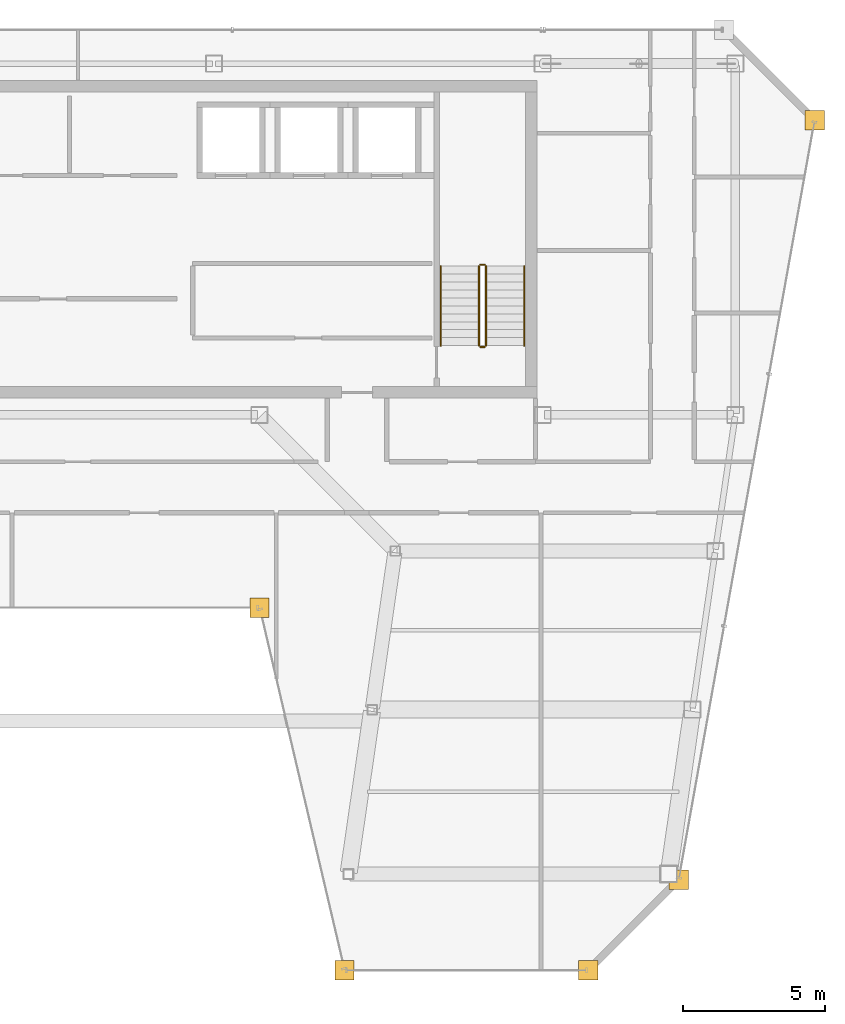
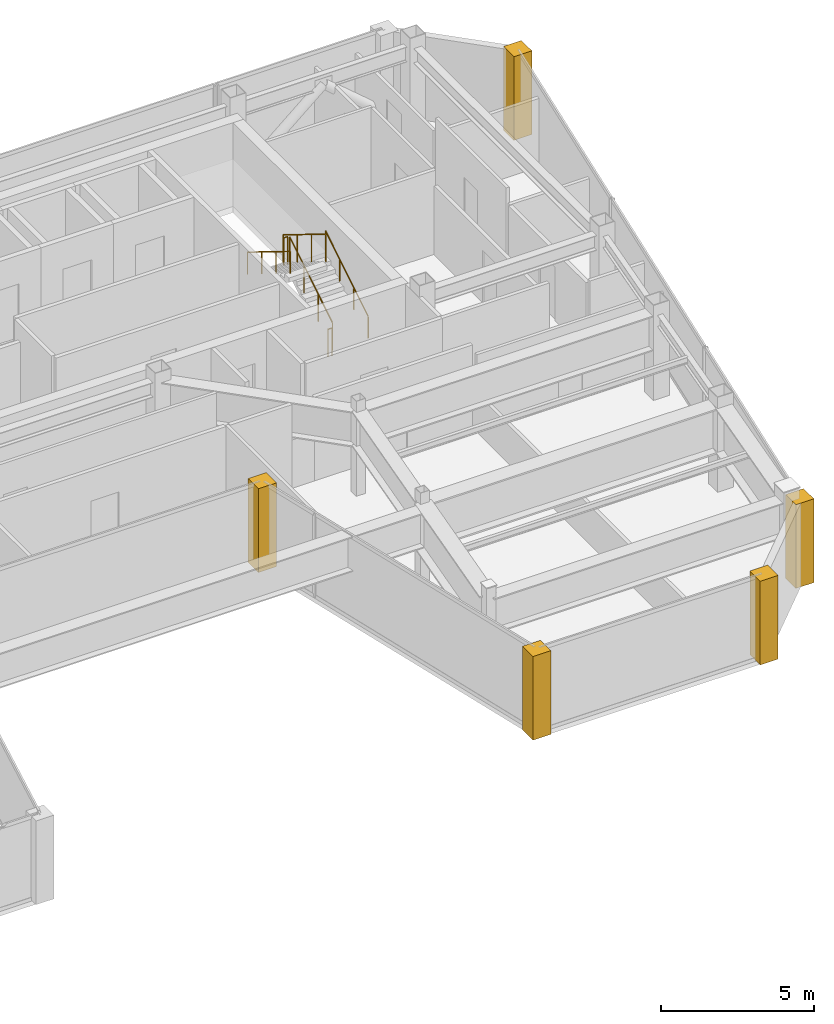
# One storey, part 29 of 30: 6 railings, 5 coverings.
"""IFC4 building model written with IfcOpenShell, lengths in metres."""

from ifc_helpers import new_model, si_unit, direction, frame, origin, origin_2d, place, context, subcontext, project, spatial, polyline, circle, outline, extrude, material, layer, layer_set, type_object, element, save


model = new_model("IFC4")

# Units and contexts
model_context = context("Model", 3, precision=1e-05, world=origin(), true_north=direction((0.0, 1.0)))
body_context = subcontext(model_context, "Body", "Model", "MODEL_VIEW")
ifc_project = project(units=[si_unit("LENGTHUNIT", "METRE"), si_unit("AREAUNIT", "SQUARE_METRE"), si_unit("VOLUMEUNIT", "CUBIC_METRE"), si_unit("PLANEANGLEUNIT", "RADIAN"), si_unit("MASSUNIT", "GRAM", prefix="KILO")], contexts=[model_context])

# Site, building, storey
site_placement = place(None, origin())
site = spatial("IfcSite", under=ifc_project, at=site_placement, CompositionType="ELEMENT")
building_placement = place(site_placement, origin())
building = spatial("IfcBuilding", under=site, at=building_placement, Name="Saevonmaru Cultural Tower", CompositionType="ELEMENT")
storey_placement = place(building_placement, frame((0.0, 0.0, 272.39990234375)))
storey = spatial("IfcBuildingStorey", under=building, at=storey_placement, Name="L64", CompositionType="ELEMENT", Elevation=272.39990234375)

# Coverings
ifc_material_1 = material(Name="Satin Bronze Anodised Aluminium", Category="aluminium")
ifc_layer = layer(ifc_material_1, 0.679931640625, Name="Satin Bronze Anodised Aluminium")
ifc_layer_set = layer_set([ifc_layer], Name="Satin Bronze Anodised Aluminium")
covering_type = type_object("IfcCoveringType", Name="CV-CORNER-CLAD", PredefinedType="CLADDING", material=ifc_layer_set)
covering_1_placement = place(storey_placement, origin())
element("IfcCovering", 1, at=covering_1_placement, inside=storey, type_object=covering_type, Name="L64 Tower Bronze Corner Cladding Pier 5", PredefinedType="CLADDING", context=body_context, shape_type="SweptSolid", body=[
    extrude(outline(polyline([(36.06396484375, 35.260009765625), (36.743896484375, 35.260009765625), (36.743896484375, 35.93994140625), (36.06396484375, 35.93994140625), (36.06396484375, 35.260009765625)])), origin(), (0.0, 0.0, 1.0), 3.35009765625),
])
covering_2_placement = place(storey_placement, origin())
element("IfcCovering", 2, at=covering_2_placement, inside=storey, type_object=covering_type, Name="L64 Tower Bronze Corner Cladding Pier 6", PredefinedType="CLADDING", context=body_context, shape_type="SweptSolid", body=[
    extrude(outline(polyline([(39.06396484375, 22.4599609375), (39.743896484375, 22.4599609375), (39.743896484375, 23.139892578125), (39.06396484375, 23.139892578125), (39.06396484375, 22.4599609375)])), origin(), (0.0, 0.0, 1.0), 3.35009765625),
])
covering_3_placement = place(storey_placement, origin())
element("IfcCovering", 3, at=covering_3_placement, inside=storey, type_object=covering_type, Name="L64 Tower Bronze Corner Cladding Pier 7", PredefinedType="CLADDING", context=body_context, shape_type="SweptSolid", body=[
    extrude(outline(polyline([(47.6640625, 22.4599609375), (48.343994140625, 22.4599609375), (48.343994140625, 23.139892578125), (47.6640625, 23.139892578125), (47.6640625, 22.4599609375)])), origin(), (0.0, 0.0, 1.0), 3.35009765625),
])
covering_4_placement = place(storey_placement, origin())
element("IfcCovering", 4, at=covering_4_placement, inside=storey, type_object=covering_type, Name="L64 Tower Bronze Corner Cladding Pier 8", PredefinedType="CLADDING", context=body_context, shape_type="SweptSolid", body=[
    extrude(outline(polyline([(50.864013671875, 25.659912109375), (51.5439453125, 25.659912109375), (51.5439453125, 26.340087890625), (50.864013671875, 26.340087890625), (50.864013671875, 25.659912109375)])), origin(), (0.0, 0.0, 1.0), 3.35009765625),
])
covering_5_placement = place(storey_placement, origin())
element("IfcCovering", 5, at=covering_5_placement, inside=storey, type_object=covering_type, Name="L64 Tower Bronze Corner Cladding Pier 9", PredefinedType="CLADDING", context=body_context, shape_type="SweptSolid", body=[
    extrude(outline(polyline([(55.659912109375, 52.4599609375), (56.340087890625, 52.4599609375), (56.340087890625, 53.139892578125), (55.659912109375, 53.139892578125), (55.659912109375, 52.4599609375)])), origin(), (0.0, 0.0, 1.0), 3.35009765625),
])

# Railings
ifc_material_2 = material(Name="Architectural Painted Steel", Category="steel")
railing_type_1 = type_object("IfcRailingType", Name="RL-STAIR-GUARD", PredefinedType="GUARDRAIL", material=ifc_material_2)
railing_1_placement = place(storey_placement, frame((44.39990234375, 44.85009765625, 0.1728515625)))
element("IfcRailing", 6, at=railing_1_placement, inside=storey, type_object=railing_type_1, Name="L64 ST-2 stair guard 1", PredefinedType="GUARDRAIL", context=body_context, shape_type="SweptSolid", body=[
    extrude(circle(Radius=0.02392578125, at=origin_2d()), frame((0.0, 0.0, 1.09619140625), z_axis=(0.0, 0.851069175582, 0.525053576669), x_axis=(-1.0, 0.0, 0.0)), (0.0, 0.0, 1.0), 3.289794921875),
    extrude(circle(Radius=0.02099609375, at=origin_2d()), origin(), (0.0, 0.0, 1.0), 1.072021484375),
    extrude(circle(Radius=0.02099609375, at=origin_2d()), frame((0.0, 0.933349609375, 0.57568359375)), (0.0, 0.0, 1.0), 1.072021484375),
    extrude(circle(Radius=0.02099609375, at=origin_2d()), frame((0.0, 1.866455078125, 1.151611328125)), (0.0, 0.0, 1.0), 1.072021484375),
    extrude(circle(Radius=0.02099609375, at=origin_2d()), frame((0.0, 2.7998046875, 1.727294921875)), (0.0, 0.0, 1.0), 1.072021484375),
])
railing_2_placement = place(storey_placement, frame((44.35009765625, 47.699951171875, 1.900146484375)))
element("IfcRailing", 7, at=railing_2_placement, inside=storey, type_object=railing_type_1, Name="L64 ST-2 stair guard 2", PredefinedType="GUARDRAIL", context=body_context, shape_type="SweptSolid", body=[
    extrude(circle(Radius=0.02392578125, at=origin_2d()), frame((0.0, 0.0, 1.09619140625), z_axis=(-1.0, 0.0, 0.0), x_axis=(0.0, -1.0, 0.0)), (0.0, 0.0, 1.0), 0.150146484375),
    extrude(circle(Radius=0.02099609375, at=origin_2d()), origin(), (0.0, 0.0, 1.0), 1.072021484375),
    extrude(circle(Radius=0.02099609375, at=origin_2d()), frame((-0.150146484375, 0.0, 0.0)), (0.0, 0.0, 1.0), 1.072021484375),
])
railing_3_placement = place(storey_placement, frame((44.14990234375, 47.64990234375, 2.07275390625)))
element("IfcRailing", 8, at=railing_3_placement, inside=storey, type_object=railing_type_1, Name="L64 ST-2 stair guard 3", PredefinedType="GUARDRAIL", context=body_context, shape_type="SweptSolid", body=[
    extrude(circle(Radius=0.02392578125, at=origin_2d()), frame((0.0, 0.0, 1.09619140625), z_axis=(0.0, -0.851069175582, 0.525053576669), x_axis=(1.0, 0.0, 0.0)), (0.0, 0.0, 1.0), 3.289794921875),
    extrude(circle(Radius=0.02099609375, at=origin_2d()), origin(), (0.0, 0.0, 1.0), 1.072021484375),
    extrude(circle(Radius=0.02099609375, at=origin_2d()), frame((0.0, -0.933349609375, 0.57568359375)), (0.0, 0.0, 1.0), 1.072021484375),
    extrude(circle(Radius=0.02099609375, at=origin_2d()), frame((0.0, -1.866455078125, 1.151611328125)), (0.0, 0.0, 1.0), 1.072021484375),
    extrude(circle(Radius=0.02099609375, at=origin_2d()), frame((0.0, -2.7998046875, 1.727294921875)), (0.0, 0.0, 1.0), 1.072021484375),
])
railing_4_placement = place(storey_placement, frame((44.35009765625, 44.800048828125, 0.0)))
element("IfcRailing", 9, at=railing_4_placement, inside=storey, type_object=railing_type_1, Name="L64 ST-2 stair guard 4", PredefinedType="GUARDRAIL", context=body_context, shape_type="SweptSolid", body=[
    extrude(circle(Radius=0.02392578125, at=origin_2d()), frame((0.0, 0.0, 1.09619140625), z_axis=(-1.0, 0.0, 0.0), x_axis=(0.0, -1.0, 0.0)), (0.0, 0.0, 1.0), 0.150146484375),
    extrude(circle(Radius=0.02099609375, at=origin_2d()), origin(), (0.0, 0.0, 1.0), 1.072021484375),
    extrude(circle(Radius=0.02099609375, at=origin_2d()), frame((-0.150146484375, 0.0, 0.0)), (0.0, 0.0, 1.0), 1.072021484375),
])
railing_type_2 = type_object("IfcRailingType", Name="RL-STAIR-HANDRAIL", PredefinedType="HANDRAIL", material=ifc_material_1)
railing_5_placement = place(storey_placement, frame((45.75, 44.85009765625, 0.1728515625)))
element("IfcRailing", 10, at=railing_5_placement, inside=storey, type_object=railing_type_2, Name="L64 ST-2 stair handrail 1", PredefinedType="HANDRAIL", context=body_context, shape_type="SweptSolid", body=[
    extrude(circle(Radius=0.02392578125, at=origin_2d()), frame((0.0, 0.0, 0.8759765625), z_axis=(0.0, 0.851069175582, 0.525053576669), x_axis=(-1.0, 0.0, 0.0)), (0.0, 0.0, 1.0), 3.289794921875),
    extrude(circle(Radius=0.02099609375, at=origin_2d()), origin(), (0.0, 0.0, 1.0), 0.851806640625),
    extrude(circle(Radius=0.02099609375, at=origin_2d()), frame((0.0, 0.933349609375, 0.57568359375)), (0.0, 0.0, 1.0), 0.851806640625),
    extrude(circle(Radius=0.02099609375, at=origin_2d()), frame((0.0, 1.866455078125, 1.151611328125)), (0.0, 0.0, 1.0), 0.851806640625),
    extrude(circle(Radius=0.02099609375, at=origin_2d()), frame((0.0, 2.7998046875, 1.727294921875)), (0.0, 0.0, 1.0), 0.851806640625),
])
railing_6_placement = place(storey_placement, frame((42.800048828125, 47.64990234375, 2.07275390625)))
element("IfcRailing", 11, at=railing_6_placement, inside=storey, type_object=railing_type_2, Name="L64 ST-2 stair handrail 2", PredefinedType="HANDRAIL", context=body_context, shape_type="SweptSolid", body=[
    extrude(circle(Radius=0.02392578125, at=origin_2d()), frame((0.0, 0.0, 0.8759765625), z_axis=(0.0, -0.851069175582, 0.525053576669), x_axis=(1.0, 0.0, 0.0)), (0.0, 0.0, 1.0), 3.289794921875),
    extrude(circle(Radius=0.02099609375, at=origin_2d()), origin(), (0.0, 0.0, 1.0), 0.851806640625),
    extrude(circle(Radius=0.02099609375, at=origin_2d()), frame((0.0, -0.933349609375, 0.57568359375)), (0.0, 0.0, 1.0), 0.851806640625),
    extrude(circle(Radius=0.02099609375, at=origin_2d()), frame((0.0, -1.866455078125, 1.151611328125)), (0.0, 0.0, 1.0), 0.851806640625),
    extrude(circle(Radius=0.02099609375, at=origin_2d()), frame((0.0, -2.7998046875, 1.727294921875)), (0.0, 0.0, 1.0), 0.851806640625),
])

save(model, "model.ifc")
